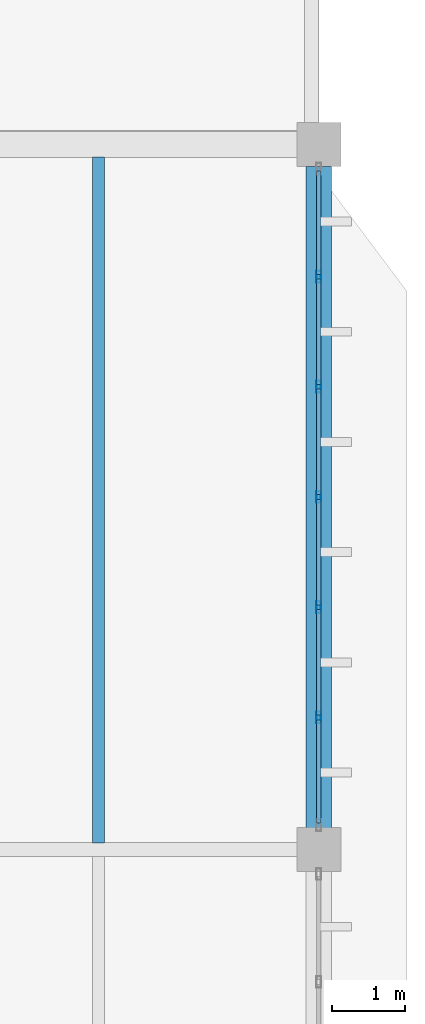
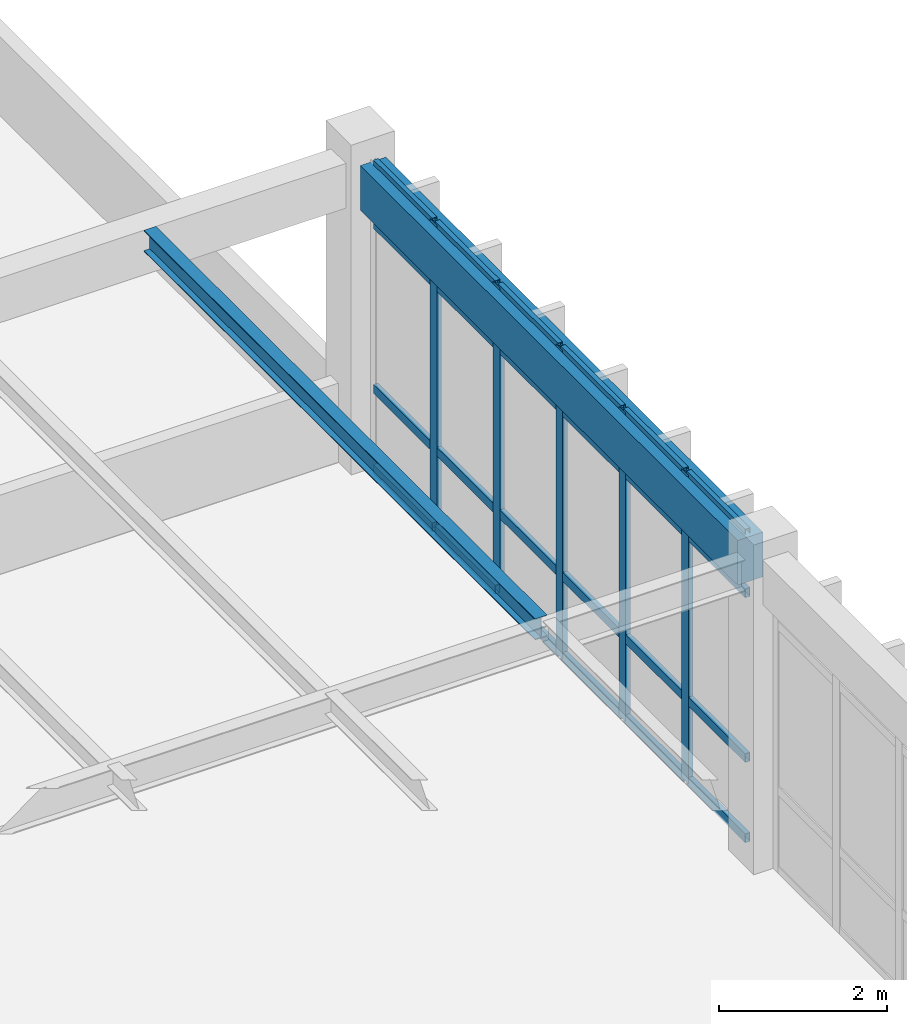
# One storey, part 170 of 236: 29 members, 2 beams, 1 element without a shape of its own.
"""IFC4 building model written with IfcOpenShell, lengths in metres."""

from ifc_helpers import new_model, si_unit, direction, frame, origin, origin_2d, place, context, subcontext, project, spatial, rectangle, hollow_rectangle, i_section, extrude, material, layer, layer_set, material_profile, profile_set, type_object, element, aggregate, save


model = new_model("IFC4")

# Units and contexts
model_context = context("Model", 3, precision=1e-05, world=origin(), true_north=direction((0.0, 1.0)))
body_context = subcontext(model_context, "Body", "Model", "MODEL_VIEW")
ifc_project = project(units=[si_unit("LENGTHUNIT", "METRE"), si_unit("AREAUNIT", "SQUARE_METRE"), si_unit("VOLUMEUNIT", "CUBIC_METRE"), si_unit("PLANEANGLEUNIT", "RADIAN"), si_unit("MASSUNIT", "GRAM", prefix="KILO")], contexts=[model_context])

# Site, building, storey
site_placement = place(None, origin())
site = spatial("IfcSite", under=ifc_project, at=site_placement, CompositionType="ELEMENT")
building_placement = place(site_placement, origin())
building = spatial("IfcBuilding", under=site, at=building_placement, Name="Pandanus Reach Market Hall", CompositionType="ELEMENT")
storey_placement = place(building_placement, frame((0.0, 0.0, 5.39990234375)))
storey = spatial("IfcBuildingStorey", under=building, at=storey_placement, Name="L01", CompositionType="ELEMENT", Elevation=5.39990234375)

# Beam
ifc_material_1 = material(Name="Concrete N40 (40 MPa)", Category="concrete")
ifc_material_profile_1 = material_profile(ifc_material_1, rectangle(XDim=0.35009765625, YDim=0.64990234375, at=origin_2d()), Name="RC350x650", Category="LoadBearing")
ifc_profile_set_1 = profile_set([ifc_material_profile_1], Name="Concrete N40 (40 MPa)")
beam_type_1 = type_object("IfcBeamType", Name="BM-RC350-E", PredefinedType="SPANDREL", material=ifc_profile_set_1)
beam_1_placement = place(storey_placement, frame((180.0, 86.697998046875, 4.135009765625), z_axis=(0.0, 1.0, 0.0), x_axis=(-1.0, 0.0, 0.0)))
element("IfcBeam", 1, at=beam_1_placement, inside=storey, type_object=beam_type_1, Name="Framing beam BM-RC350-E L01.371", PredefinedType="SPANDREL", context=body_context, shape_type="SweptSolid", body=[
    extrude(rectangle(XDim=0.35009765625, YDim=0.64990234375, at=origin_2d()), origin(), (0.0, 0.0, 1.0), 9.00390625),
])

# Curtain wall, members
ifc_material_2 = material(Name="Bronze anodised aluminium and low-E glass", Category="aluminium")
ifc_layer = layer(ifc_material_2, 0.159912109375, Name="CW-28")
ifc_layer_set = layer_set([ifc_layer], Name="Bronze anodised aluminium and low-E glass")
curtain_wall_type = type_object("IfcCurtainWallType", Name="CW-28", PredefinedType="NOTDEFINED", material=ifc_layer_set)
curtain_wall_placement = place(storey_placement, origin())
curtain_wall = element("IfcCurtainWall", 2, at=curtain_wall_placement, inside=storey, type_object=curtain_wall_type, Name="Glazed curtain wall CW-28 CW-0090", PredefinedType="NOTDEFINED")
ifc_material_3 = material(Name="Bronze anodised aluminium", Category="aluminium")
ifc_material_profile_2 = material_profile(ifc_material_3, hollow_rectangle(XDim=0.06494140625, YDim=0.159912109375, WallThickness=0.00390625, at=origin_2d()), Name="ALU65x160", Category="LoadBearing")
ifc_profile_set_2 = profile_set([ifc_material_profile_2], Name="Bronze anodised aluminium")
member_type_1 = type_object("IfcMemberType", Name="CW-M1", PredefinedType="MULLION", material=ifc_profile_set_2)
member_1_placement = place(storey_placement, frame((180.0, 88.199951171875, 0.0), z_axis=(0.0, 0.0, 1.0), x_axis=(-1.0, 0.0, 0.0)))
member_1 = element("IfcMember", 3, at=member_1_placement, type_object=member_type_1, Name="CW-28 mullion 2", PredefinedType="MULLION", context=body_context, shape_type="SweptSolid", body=[
    extrude(hollow_rectangle(XDim=0.06494140625, YDim=0.159912109375, WallThickness=0.00390625, at=origin_2d()), origin(), (0.0, 0.0, 1.0), 4.5),
])
member_2_placement = place(storey_placement, frame((180.0, 89.699951171875, 0.0), z_axis=(0.0, 0.0, 1.0), x_axis=(-1.0, 0.0, 0.0)))
member_2 = element("IfcMember", 4, at=member_2_placement, type_object=member_type_1, Name="CW-28 mullion 3", PredefinedType="MULLION", context=body_context, shape_type="SweptSolid", body=[
    extrude(hollow_rectangle(XDim=0.06494140625, YDim=0.159912109375, WallThickness=0.00390625, at=origin_2d()), origin(), (0.0, 0.0, 1.0), 4.5),
])
member_3_placement = place(storey_placement, frame((180.0, 91.199951171875, 0.0), z_axis=(0.0, 0.0, 1.0), x_axis=(-1.0, 0.0, 0.0)))
member_3 = element("IfcMember", 5, at=member_3_placement, type_object=member_type_1, Name="CW-28 mullion 4", PredefinedType="MULLION", context=body_context, shape_type="SweptSolid", body=[
    extrude(hollow_rectangle(XDim=0.06494140625, YDim=0.159912109375, WallThickness=0.00390625, at=origin_2d()), origin(), (0.0, 0.0, 1.0), 4.5),
])
member_4_placement = place(storey_placement, frame((180.0, 92.699951171875, 0.0), z_axis=(0.0, 0.0, 1.0), x_axis=(-1.0, 0.0, 0.0)))
member_4 = element("IfcMember", 6, at=member_4_placement, type_object=member_type_1, Name="CW-28 mullion 5", PredefinedType="MULLION", context=body_context, shape_type="SweptSolid", body=[
    extrude(hollow_rectangle(XDim=0.06494140625, YDim=0.159912109375, WallThickness=0.00390625, at=origin_2d()), origin(), (0.0, 0.0, 1.0), 4.5),
])
member_5_placement = place(storey_placement, frame((180.0, 94.199951171875, 0.0), z_axis=(0.0, 0.0, 1.0), x_axis=(-1.0, 0.0, 0.0)))
member_5 = element("IfcMember", 7, at=member_5_placement, type_object=member_type_1, Name="CW-28 mullion 6", PredefinedType="MULLION", context=body_context, shape_type="SweptSolid", body=[
    extrude(hollow_rectangle(XDim=0.06494140625, YDim=0.159912109375, WallThickness=0.00390625, at=origin_2d()), origin(), (0.0, 0.0, 1.0), 4.5),
])
ifc_material_profile_3 = material_profile(ifc_material_3, hollow_rectangle(XDim=0.06494140625, YDim=0.1298828125, WallThickness=0.00390625, at=origin_2d()), Name="ALU65x130", Category="LoadBearing")
ifc_profile_set_3 = profile_set([ifc_material_profile_3], Name="Bronze anodised aluminium")
member_type_2 = type_object("IfcMemberType", Name="CW-T1", PredefinedType="USERDEFINED", material=ifc_profile_set_3)
member_6_placement = place(storey_placement, frame((180.0, 86.764892578125, 0.03271484375), z_axis=(0.0, 1.0, 0.0), x_axis=(-1.0, 0.0, 0.0)))
member_6 = element("IfcMember", 8, at=member_6_placement, type_object=member_type_2, Name="CW-28 transom 1.1", ObjectType="TRANSOM", PredefinedType="USERDEFINED", context=body_context, shape_type="SweptSolid", body=[
    extrude(hollow_rectangle(XDim=0.06494140625, YDim=0.1298828125, WallThickness=0.00390625, at=origin_2d()), origin(), (0.0, 0.0, 1.0), 1.402587890625),
])
member_7_placement = place(storey_placement, frame((180.0, 86.764892578125, 1.2001953125), z_axis=(0.0, 1.0, 0.0), x_axis=(-1.0, 0.0, 0.0)))
member_7 = element("IfcMember", 9, at=member_7_placement, type_object=member_type_2, Name="CW-28 transom 1.2", ObjectType="TRANSOM", PredefinedType="USERDEFINED", context=body_context, shape_type="SweptSolid", body=[
    extrude(hollow_rectangle(XDim=0.06494140625, YDim=0.1298828125, WallThickness=0.00390625, at=origin_2d()), origin(), (0.0, 0.0, 1.0), 1.402587890625),
])
member_8_placement = place(storey_placement, frame((180.0, 86.764892578125, 3.60009765625), z_axis=(0.0, 1.0, 0.0), x_axis=(-1.0, 0.0, 0.0)))
member_8 = element("IfcMember", 10, at=member_8_placement, type_object=member_type_2, Name="CW-28 transom 1.3", ObjectType="TRANSOM", PredefinedType="USERDEFINED", context=body_context, shape_type="SweptSolid", body=[
    extrude(hollow_rectangle(XDim=0.06494140625, YDim=0.1298828125, WallThickness=0.00390625, at=origin_2d()), origin(), (0.0, 0.0, 1.0), 1.402587890625),
])
member_9_placement = place(storey_placement, frame((180.0, 86.764892578125, 4.467529296875), z_axis=(0.0, 1.0, 0.0), x_axis=(-1.0, 0.0, 0.0)))
member_9 = element("IfcMember", 11, at=member_9_placement, type_object=member_type_2, Name="CW-28 transom 1.4", ObjectType="TRANSOM", PredefinedType="USERDEFINED", context=body_context, shape_type="SweptSolid", body=[
    extrude(hollow_rectangle(XDim=0.06494140625, YDim=0.1298828125, WallThickness=0.00390625, at=origin_2d()), origin(), (0.0, 0.0, 1.0), 1.402587890625),
])
member_10_placement = place(storey_placement, frame((180.0, 88.232421875, 0.03271484375), z_axis=(0.0, 1.0, 0.0), x_axis=(-1.0, 0.0, 0.0)))
member_10 = element("IfcMember", 12, at=member_10_placement, type_object=member_type_2, Name="CW-28 transom 2.1", ObjectType="TRANSOM", PredefinedType="USERDEFINED", context=body_context, shape_type="SweptSolid", body=[
    extrude(hollow_rectangle(XDim=0.06494140625, YDim=0.1298828125, WallThickness=0.00390625, at=origin_2d()), origin(), (0.0, 0.0, 1.0), 1.43505859375),
])
member_11_placement = place(storey_placement, frame((180.0, 88.232421875, 1.2001953125), z_axis=(0.0, 1.0, 0.0), x_axis=(-1.0, 0.0, 0.0)))
member_11 = element("IfcMember", 13, at=member_11_placement, type_object=member_type_2, Name="CW-28 transom 2.2", ObjectType="TRANSOM", PredefinedType="USERDEFINED", context=body_context, shape_type="SweptSolid", body=[
    extrude(hollow_rectangle(XDim=0.06494140625, YDim=0.1298828125, WallThickness=0.00390625, at=origin_2d()), origin(), (0.0, 0.0, 1.0), 1.43505859375),
])
member_12_placement = place(storey_placement, frame((180.0, 88.232421875, 3.60009765625), z_axis=(0.0, 1.0, 0.0), x_axis=(-1.0, 0.0, 0.0)))
member_12 = element("IfcMember", 14, at=member_12_placement, type_object=member_type_2, Name="CW-28 transom 2.3", ObjectType="TRANSOM", PredefinedType="USERDEFINED", context=body_context, shape_type="SweptSolid", body=[
    extrude(hollow_rectangle(XDim=0.06494140625, YDim=0.1298828125, WallThickness=0.00390625, at=origin_2d()), origin(), (0.0, 0.0, 1.0), 1.43505859375),
])
member_13_placement = place(storey_placement, frame((180.0, 88.232421875, 4.467529296875), z_axis=(0.0, 1.0, 0.0), x_axis=(-1.0, 0.0, 0.0)))
member_13 = element("IfcMember", 15, at=member_13_placement, type_object=member_type_2, Name="CW-28 transom 2.4", ObjectType="TRANSOM", PredefinedType="USERDEFINED", context=body_context, shape_type="SweptSolid", body=[
    extrude(hollow_rectangle(XDim=0.06494140625, YDim=0.1298828125, WallThickness=0.00390625, at=origin_2d()), origin(), (0.0, 0.0, 1.0), 1.43505859375),
])
member_14_placement = place(storey_placement, frame((180.0, 89.732421875, 0.03271484375), z_axis=(0.0, 1.0, 0.0), x_axis=(-1.0, 0.0, 0.0)))
member_14 = element("IfcMember", 16, at=member_14_placement, type_object=member_type_2, Name="CW-28 transom 3.1", ObjectType="TRANSOM", PredefinedType="USERDEFINED", context=body_context, shape_type="SweptSolid", body=[
    extrude(hollow_rectangle(XDim=0.06494140625, YDim=0.1298828125, WallThickness=0.00390625, at=origin_2d()), origin(), (0.0, 0.0, 1.0), 1.43505859375),
])
member_15_placement = place(storey_placement, frame((180.0, 89.732421875, 1.2001953125), z_axis=(0.0, 1.0, 0.0), x_axis=(-1.0, 0.0, 0.0)))
member_15 = element("IfcMember", 17, at=member_15_placement, type_object=member_type_2, Name="CW-28 transom 3.2", ObjectType="TRANSOM", PredefinedType="USERDEFINED", context=body_context, shape_type="SweptSolid", body=[
    extrude(hollow_rectangle(XDim=0.06494140625, YDim=0.1298828125, WallThickness=0.00390625, at=origin_2d()), origin(), (0.0, 0.0, 1.0), 1.43505859375),
])
member_16_placement = place(storey_placement, frame((180.0, 89.732421875, 3.60009765625), z_axis=(0.0, 1.0, 0.0), x_axis=(-1.0, 0.0, 0.0)))
member_16 = element("IfcMember", 18, at=member_16_placement, type_object=member_type_2, Name="CW-28 transom 3.3", ObjectType="TRANSOM", PredefinedType="USERDEFINED", context=body_context, shape_type="SweptSolid", body=[
    extrude(hollow_rectangle(XDim=0.06494140625, YDim=0.1298828125, WallThickness=0.00390625, at=origin_2d()), origin(), (0.0, 0.0, 1.0), 1.43505859375),
])
member_17_placement = place(storey_placement, frame((180.0, 89.732421875, 4.467529296875), z_axis=(0.0, 1.0, 0.0), x_axis=(-1.0, 0.0, 0.0)))
member_17 = element("IfcMember", 19, at=member_17_placement, type_object=member_type_2, Name="CW-28 transom 3.4", ObjectType="TRANSOM", PredefinedType="USERDEFINED", context=body_context, shape_type="SweptSolid", body=[
    extrude(hollow_rectangle(XDim=0.06494140625, YDim=0.1298828125, WallThickness=0.00390625, at=origin_2d()), origin(), (0.0, 0.0, 1.0), 1.43505859375),
])
member_18_placement = place(storey_placement, frame((180.0, 91.232421875, 0.03271484375), z_axis=(0.0, 1.0, 0.0), x_axis=(-1.0, 0.0, 0.0)))
member_18 = element("IfcMember", 20, at=member_18_placement, type_object=member_type_2, Name="CW-28 transom 4.1", ObjectType="TRANSOM", PredefinedType="USERDEFINED", context=body_context, shape_type="SweptSolid", body=[
    extrude(hollow_rectangle(XDim=0.06494140625, YDim=0.1298828125, WallThickness=0.00390625, at=origin_2d()), origin(), (0.0, 0.0, 1.0), 1.43505859375),
])
member_19_placement = place(storey_placement, frame((180.0, 91.232421875, 1.2001953125), z_axis=(0.0, 1.0, 0.0), x_axis=(-1.0, 0.0, 0.0)))
member_19 = element("IfcMember", 21, at=member_19_placement, type_object=member_type_2, Name="CW-28 transom 4.2", ObjectType="TRANSOM", PredefinedType="USERDEFINED", context=body_context, shape_type="SweptSolid", body=[
    extrude(hollow_rectangle(XDim=0.06494140625, YDim=0.1298828125, WallThickness=0.00390625, at=origin_2d()), origin(), (0.0, 0.0, 1.0), 1.43505859375),
])
member_20_placement = place(storey_placement, frame((180.0, 91.232421875, 3.60009765625), z_axis=(0.0, 1.0, 0.0), x_axis=(-1.0, 0.0, 0.0)))
member_20 = element("IfcMember", 22, at=member_20_placement, type_object=member_type_2, Name="CW-28 transom 4.3", ObjectType="TRANSOM", PredefinedType="USERDEFINED", context=body_context, shape_type="SweptSolid", body=[
    extrude(hollow_rectangle(XDim=0.06494140625, YDim=0.1298828125, WallThickness=0.00390625, at=origin_2d()), origin(), (0.0, 0.0, 1.0), 1.43505859375),
])
member_21_placement = place(storey_placement, frame((180.0, 91.232421875, 4.467529296875), z_axis=(0.0, 1.0, 0.0), x_axis=(-1.0, 0.0, 0.0)))
member_21 = element("IfcMember", 23, at=member_21_placement, type_object=member_type_2, Name="CW-28 transom 4.4", ObjectType="TRANSOM", PredefinedType="USERDEFINED", context=body_context, shape_type="SweptSolid", body=[
    extrude(hollow_rectangle(XDim=0.06494140625, YDim=0.1298828125, WallThickness=0.00390625, at=origin_2d()), origin(), (0.0, 0.0, 1.0), 1.43505859375),
])
member_22_placement = place(storey_placement, frame((180.0, 92.732421875, 0.03271484375), z_axis=(0.0, 1.0, 0.0), x_axis=(-1.0, 0.0, 0.0)))
member_22 = element("IfcMember", 24, at=member_22_placement, type_object=member_type_2, Name="CW-28 transom 5.1", ObjectType="TRANSOM", PredefinedType="USERDEFINED", context=body_context, shape_type="SweptSolid", body=[
    extrude(hollow_rectangle(XDim=0.06494140625, YDim=0.1298828125, WallThickness=0.00390625, at=origin_2d()), origin(), (0.0, 0.0, 1.0), 1.43505859375),
])
member_23_placement = place(storey_placement, frame((180.0, 92.732421875, 1.2001953125), z_axis=(0.0, 1.0, 0.0), x_axis=(-1.0, 0.0, 0.0)))
member_23 = element("IfcMember", 25, at=member_23_placement, type_object=member_type_2, Name="CW-28 transom 5.2", ObjectType="TRANSOM", PredefinedType="USERDEFINED", context=body_context, shape_type="SweptSolid", body=[
    extrude(hollow_rectangle(XDim=0.06494140625, YDim=0.1298828125, WallThickness=0.00390625, at=origin_2d()), origin(), (0.0, 0.0, 1.0), 1.43505859375),
])
member_24_placement = place(storey_placement, frame((180.0, 92.732421875, 3.60009765625), z_axis=(0.0, 1.0, 0.0), x_axis=(-1.0, 0.0, 0.0)))
member_24 = element("IfcMember", 26, at=member_24_placement, type_object=member_type_2, Name="CW-28 transom 5.3", ObjectType="TRANSOM", PredefinedType="USERDEFINED", context=body_context, shape_type="SweptSolid", body=[
    extrude(hollow_rectangle(XDim=0.06494140625, YDim=0.1298828125, WallThickness=0.00390625, at=origin_2d()), origin(), (0.0, 0.0, 1.0), 1.43505859375),
])
member_25_placement = place(storey_placement, frame((180.0, 92.732421875, 4.467529296875), z_axis=(0.0, 1.0, 0.0), x_axis=(-1.0, 0.0, 0.0)))
member_25 = element("IfcMember", 27, at=member_25_placement, type_object=member_type_2, Name="CW-28 transom 5.4", ObjectType="TRANSOM", PredefinedType="USERDEFINED", context=body_context, shape_type="SweptSolid", body=[
    extrude(hollow_rectangle(XDim=0.06494140625, YDim=0.1298828125, WallThickness=0.00390625, at=origin_2d()), origin(), (0.0, 0.0, 1.0), 1.43505859375),
])
member_26_placement = place(storey_placement, frame((180.0, 94.232421875, 0.03271484375), z_axis=(0.0, 1.0, 0.0), x_axis=(-1.0, 0.0, 0.0)))
member_26 = element("IfcMember", 28, at=member_26_placement, type_object=member_type_2, Name="CW-28 transom 6.1", ObjectType="TRANSOM", PredefinedType="USERDEFINED", context=body_context, shape_type="SweptSolid", body=[
    extrude(hollow_rectangle(XDim=0.06494140625, YDim=0.1298828125, WallThickness=0.00390625, at=origin_2d()), origin(), (0.0, 0.0, 1.0), 1.402587890625),
])
member_27_placement = place(storey_placement, frame((180.0, 94.232421875, 1.2001953125), z_axis=(0.0, 1.0, 0.0), x_axis=(-1.0, 0.0, 0.0)))
member_27 = element("IfcMember", 29, at=member_27_placement, type_object=member_type_2, Name="CW-28 transom 6.2", ObjectType="TRANSOM", PredefinedType="USERDEFINED", context=body_context, shape_type="SweptSolid", body=[
    extrude(hollow_rectangle(XDim=0.06494140625, YDim=0.1298828125, WallThickness=0.00390625, at=origin_2d()), origin(), (0.0, 0.0, 1.0), 1.402587890625),
])
member_28_placement = place(storey_placement, frame((180.0, 94.232421875, 3.60009765625), z_axis=(0.0, 1.0, 0.0), x_axis=(-1.0, 0.0, 0.0)))
member_28 = element("IfcMember", 30, at=member_28_placement, type_object=member_type_2, Name="CW-28 transom 6.3", ObjectType="TRANSOM", PredefinedType="USERDEFINED", context=body_context, shape_type="SweptSolid", body=[
    extrude(hollow_rectangle(XDim=0.06494140625, YDim=0.1298828125, WallThickness=0.00390625, at=origin_2d()), origin(), (0.0, 0.0, 1.0), 1.402587890625),
])
member_29_placement = place(storey_placement, frame((180.0, 94.232421875, 4.467529296875), z_axis=(0.0, 1.0, 0.0), x_axis=(-1.0, 0.0, 0.0)))
member_29 = element("IfcMember", 31, at=member_29_placement, type_object=member_type_2, Name="CW-28 transom 6.4", ObjectType="TRANSOM", PredefinedType="USERDEFINED", context=body_context, shape_type="SweptSolid", body=[
    extrude(hollow_rectangle(XDim=0.06494140625, YDim=0.1298828125, WallThickness=0.00390625, at=origin_2d()), origin(), (0.0, 0.0, 1.0), 1.402587890625),
])
aggregate(curtain_wall, [member_1, member_2, member_3, member_4, member_5, member_6, member_7, member_8, member_9, member_10, member_11, member_12, member_13, member_14, member_15, member_16, member_17, member_18, member_19, member_20, member_21, member_22, member_23, member_24, member_25, member_26, member_27, member_28, member_29])

# Beam
ifc_material_4 = material(Name="Steel Grade 350 (350 MPa)", Category="steel")
ifc_material_profile_4 = material_profile(ifc_material_4, i_section(OverallWidth=0.166015625, OverallDepth=0.306884765625, WebThickness=0.006591796875, FlangeThickness=0.01171875, at=origin_2d()), Name="310UB46.2", Category="LoadBearing")
ifc_profile_set_4 = profile_set([ifc_material_profile_4], Name="Steel Grade 350 (350 MPa)")
beam_type_2 = type_object("IfcBeamType", Name="JS-UB310H-I", PredefinedType="JOIST", material=ifc_profile_set_4)
beam_2_placement = place(storey_placement, frame((177.0, 86.492919921875, 4.30615234375), z_axis=(0.0, 1.0, 0.0), x_axis=(-1.0, 0.0, 0.0)))
element("IfcBeam", 32, at=beam_2_placement, inside=storey, type_object=beam_type_2, Name="Secondary joist JS-UB310H-I L01.436", PredefinedType="JOIST", context=body_context, shape_type="SweptSolid", body=[
    extrude(i_section(OverallWidth=0.166015625, OverallDepth=0.306884765625, WebThickness=0.006591796875, FlangeThickness=0.01171875, at=origin_2d()), origin(), (0.0, 0.0, 1.0), 9.333984375),
])

save(model, "model.ifc")
